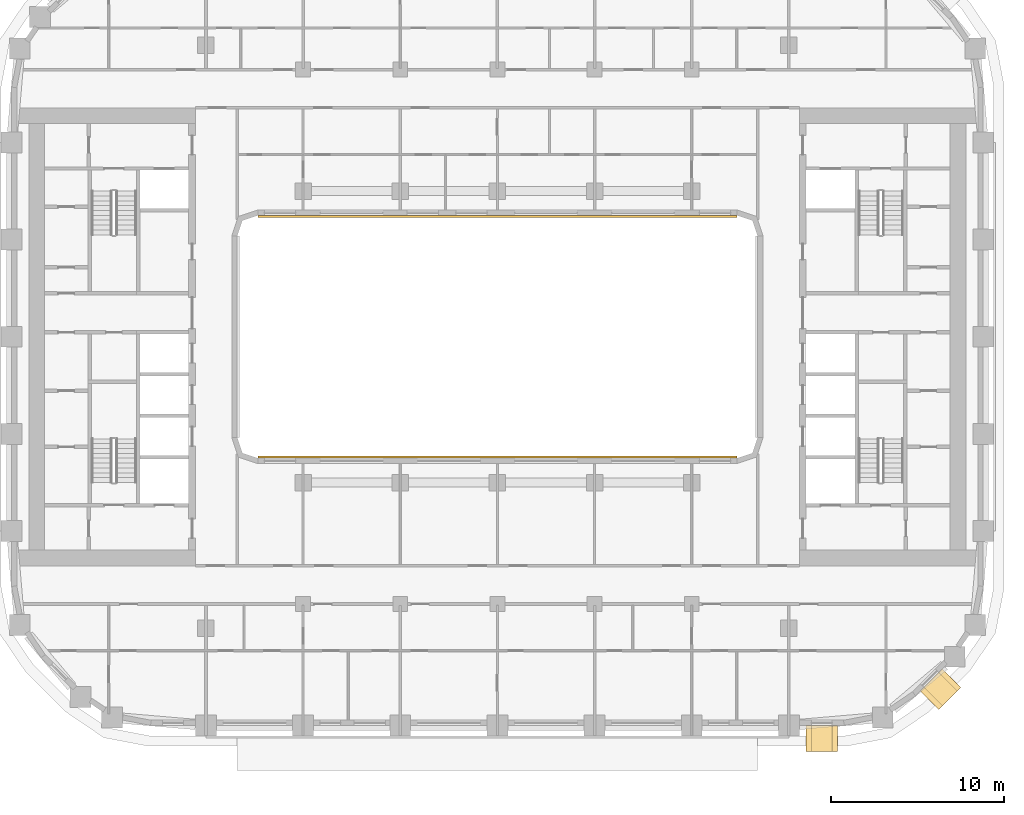
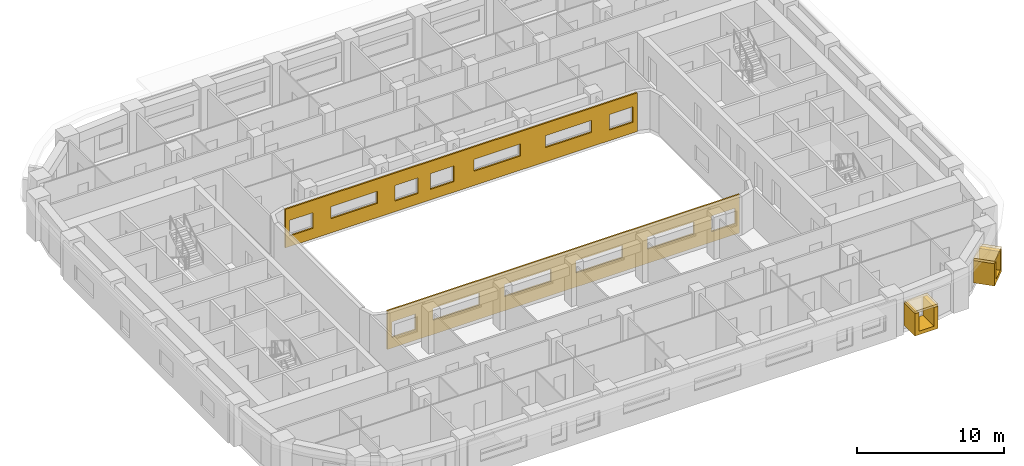
# One storey, part 16 of 22: 6 coverings.
"""IFC4 building model written with IfcOpenShell, lengths in metres."""

from ifc_helpers import new_model, si_unit, direction, frame, origin, origin_2d, place, context, subcontext, project, spatial, polyline, rectangle, outline, extrude, material, layer, layer_set, type_object, element, save


model = new_model("IFC4")

# Units and contexts
model_context = context("Model", 3, precision=1e-05, world=origin(), true_north=direction((0.0, 1.0)))
body_context = subcontext(model_context, "Body", "Model", "MODEL_VIEW")
ifc_project = project(units=[si_unit("LENGTHUNIT", "METRE"), si_unit("AREAUNIT", "SQUARE_METRE"), si_unit("VOLUMEUNIT", "CUBIC_METRE"), si_unit("PLANEANGLEUNIT", "RADIAN"), si_unit("MASSUNIT", "GRAM", prefix="KILO")], contexts=[model_context])

# Site, building, storey
site_placement = place(None, origin())
site = spatial("IfcSite", under=ifc_project, at=site_placement, CompositionType="ELEMENT")
building_placement = place(site_placement, origin())
building = spatial("IfcBuilding", under=site, at=building_placement, Name="Kiln Ring Residences", CompositionType="ELEMENT")
storey_placement = place(building_placement, frame((0.0, 0.0, 111.300048828125)))
storey = spatial("IfcBuildingStorey", under=building, at=storey_placement, Name="L28", CompositionType="ELEMENT", Elevation=111.300048828125)

# Coverings
ifc_material_1 = material(Name="Brick masonry, dark clay brick", Category="masonry")
ifc_layer_1 = layer(ifc_material_1, 0.300048828125)
ifc_layer_set_1 = layer_set([ifc_layer_1], Name="FRAME CHEEKS AND SILL 1500")
covering_type_1 = type_object("IfcCoveringType", Name="FRAME CHEEKS AND SILL 1500", PredefinedType="CLADDING", material=ifc_layer_set_1)
for number, where, z_axis, x_axis, name in (
    (1, (17.800048828125, -23.14990234375, 0.300048828125), (0.0, 0.0, 1.0), (1.0, 0.0, 0.0), "FRAME L28"),
    (2, (24.91015625, -20.950439453125, 0.300048828125), (0.0, 0.0, 1.0), (0.707174592913, 0.707038962956, 0.0), "FRAME L28"),
):
    element("IfcCovering", number, at=place(storey_placement, frame(where, z_axis=z_axis, x_axis=x_axis)), inside=storey, type_object=covering_type_1, Name=name, PredefinedType="CLADDING", context=body_context, shape_type="SweptSolid", body=[
        extrude(outline(polyline([(0.0, 0.0), (1.800048828125, 0.0), (1.800048828125, 1.849853515625), (1.5009765625, 1.849853515625), (1.5, 0.2998046875), (0.300048828125, 0.2998046875), (0.299072265625, 1.849853515625), (0.0, 1.849853515625), (0.0, 0.0)])), frame((0.0, 0.75, 0.0), z_axis=(0.0, -1.0, 0.0), x_axis=(1.0, 0.0, 0.0)), (0.0, 0.0, 1.0), 1.5),
    ])
ifc_material_2 = material(Name="Brick masonry, dark clay brick", Category="masonry")
ifc_layer_2 = layer(ifc_material_2, 0.199951171875)
ifc_layer_set_2 = layer_set([ifc_layer_2], Name="FRAME HEAD 1500")
covering_type_2 = type_object("IfcCoveringType", Name="FRAME HEAD 1500", PredefinedType="CLADDING", material=ifc_layer_set_2)
for number, where, z_axis, x_axis, name in (
    (3, (18.699951171875, -23.14990234375, 2.14990234375), (0.0, 0.0, 1.0), (1.0, 0.0, 0.0), "FRAME HEAD L28"),
    (4, (25.546630859375, -20.31396484375, 2.14990234375), (0.0, 0.0, 1.0), (0.707106781187, 0.707106781187, 0.0), "FRAME HEAD L28"),
):
    element("IfcCovering", number, at=place(storey_placement, frame(where, z_axis=z_axis, x_axis=x_axis)), inside=storey, type_object=covering_type_2, Name=name, PredefinedType="CLADDING", context=body_context, shape_type="SweptSolid", body=[
        extrude(rectangle(XDim=1.800048828125, YDim=1.5, at=origin_2d()), origin(), (0.0, 0.0, 1.0), 0.199951171875),
    ])
ifc_material_3 = material(Name="Brick masonry, dark clay brick", Category="masonry")
ifc_layer_3 = layer(ifc_material_3, 0.1201171875)
ifc_layer_set_3 = layer_set([ifc_layer_3], Name="RAINSCREEN PANEL 120")
covering_type_3 = type_object("IfcCoveringType", Name="RAINSCREEN PANEL 120", PredefinedType="CLADDING", material=ifc_layer_set_3)
covering_1_placement = place(storey_placement, frame((-13.800048828125, 6.93994140625, 0.0), z_axis=(0.0, 0.0, 1.0), x_axis=(1.0, 0.0, 0.0)))
element("IfcCovering", 5, at=covering_1_placement, inside=storey, type_object=covering_type_3, Name="RAINSCREEN L28", PredefinedType="CLADDING", context=body_context, shape_type="SweptSolid", body=[
    extrude(outline(polyline([(0.0, 0.0), (27.60009765625, 0.0), (27.60009765625, 3.199951171875), (0.0, 3.199951171875), (0.0, 0.0)]), holes=[polyline([(2.1826171875, 0.8798828125), (2.1826171875, 2.169921875), (0.342529296875, 2.169921875), (0.342529296875, 0.8798828125), (2.1826171875, 0.8798828125)]), polyline([(8.580078125, 0.8798828125), (10.419921875, 0.8798828125), (10.419921875, 2.169921875), (8.580078125, 2.169921875), (8.580078125, 0.8798828125)]), polyline([(11.3798828125, 0.8798828125), (13.219970703125, 0.8798828125), (13.219970703125, 2.169921875), (11.3798828125, 2.169921875), (11.3798828125, 0.8798828125)]), polyline([(25.41748046875, 0.8798828125), (27.257568359375, 0.8798828125), (27.257568359375, 2.169921875), (25.41748046875, 2.169921875), (25.41748046875, 0.8798828125)]), polyline([(3.580078125, 1.179931640625), (7.219970703125, 1.179931640625), (7.219970703125, 2.169921875), (3.580078125, 2.169921875), (3.580078125, 1.179931640625)]), polyline([(14.780029296875, 1.179931640625), (18.419921875, 1.179931640625), (18.419921875, 2.169921875), (14.780029296875, 2.169921875), (14.780029296875, 1.179931640625)]), polyline([(20.3798828125, 1.179931640625), (24.02001953125, 1.179931640625), (24.02001953125, 2.169921875), (20.3798828125, 2.169921875), (20.3798828125, 1.179931640625)])]), frame((0.0, 0.06005859375, 0.0), z_axis=(0.0, -1.0, 0.0), x_axis=(1.0, 0.0, 0.0)), (0.0, 0.0, 1.0), 0.1201171875),
])
covering_2_placement = place(storey_placement, frame((13.800048828125, -6.93994140625, 0.0), z_axis=(0.0, 0.0, 1.0), x_axis=(-1.0, 0.0, 0.0)))
element("IfcCovering", 6, at=covering_2_placement, inside=storey, type_object=covering_type_3, Name="RAINSCREEN L28", PredefinedType="CLADDING", context=body_context, shape_type="SweptSolid", body=[
    extrude(outline(polyline([(0.0, 0.0), (27.60009765625, 0.0), (27.60009765625, 3.199951171875), (0.0, 3.199951171875), (0.0, 0.0)]), holes=[polyline([(2.1826171875, 0.8798828125), (2.1826171875, 2.169921875), (0.342529296875, 2.169921875), (0.342529296875, 0.8798828125), (2.1826171875, 0.8798828125)]), polyline([(25.41748046875, 0.8798828125), (27.257568359375, 0.8798828125), (27.257568359375, 2.169921875), (25.41748046875, 2.169921875), (25.41748046875, 0.8798828125)]), polyline([(3.580078125, 1.179931640625), (7.219970703125, 1.179931640625), (7.219970703125, 2.169921875), (3.580078125, 2.169921875), (3.580078125, 1.179931640625)]), polyline([(12.820068359375, 1.179931640625), (12.820068359375, 2.169921875), (9.179931640625, 2.169921875), (9.179931640625, 1.179931640625), (12.820068359375, 1.179931640625)]), polyline([(14.780029296875, 1.179931640625), (18.419921875, 1.179931640625), (18.419921875, 2.169921875), (14.780029296875, 2.169921875), (14.780029296875, 1.179931640625)]), polyline([(20.3798828125, 1.179931640625), (24.02001953125, 1.179931640625), (24.02001953125, 2.169921875), (20.3798828125, 2.169921875), (20.3798828125, 1.179931640625)])]), frame((0.0, 0.06005859375, 0.0), z_axis=(0.0, -1.0, 0.0), x_axis=(1.0, 0.0, 0.0)), (0.0, 0.0, 1.0), 0.1201171875),
])

save(model, "model.ifc")
